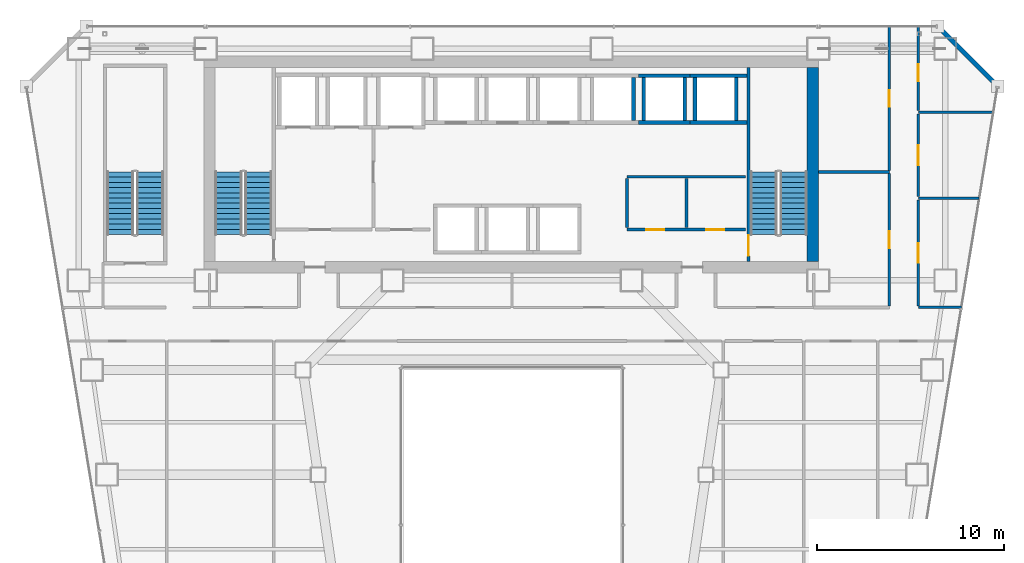
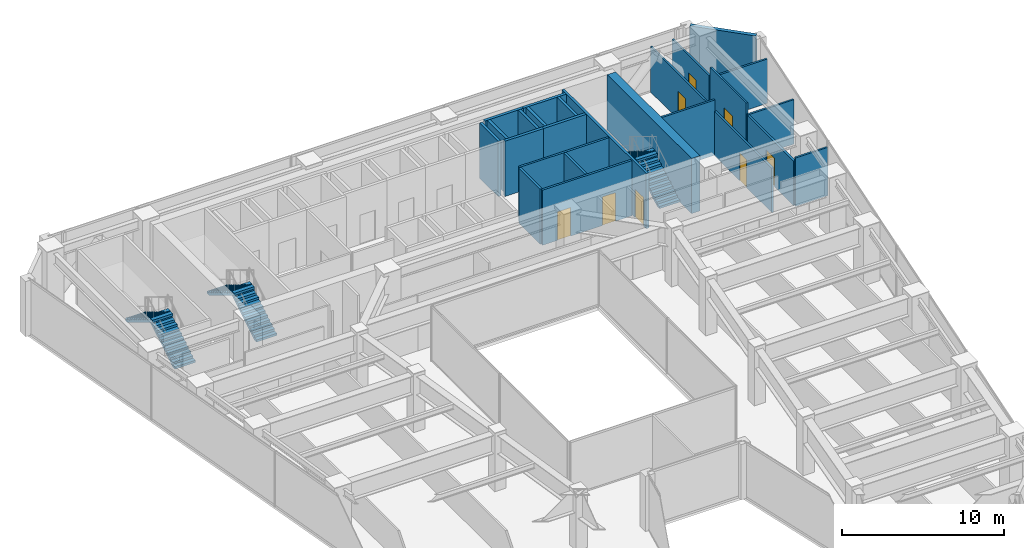
# One storey, part 37 of 40: 25 walls, 8 doors, 6 stair flights, 8 openings, 3 elements without a shape of their own.
"""IFC4 building model written with IfcOpenShell, lengths in metres."""

from ifc_helpers import new_model, si_unit, direction, frame, frame_2d, origin, place, context, subcontext, project, spatial, polyline, rectangle, outline, extrude, material, layer, layer_set, type_object, element, fill, aggregate, save


model = new_model("IFC4")

# Units and contexts
model_context = context("Model", 3, precision=1e-05, world=origin(), true_north=direction((0.0, 1.0)))
body_context = subcontext(model_context, "Body", "Model", "MODEL_VIEW")
ifc_project = project(units=[si_unit("LENGTHUNIT", "METRE"), si_unit("AREAUNIT", "SQUARE_METRE"), si_unit("VOLUMEUNIT", "CUBIC_METRE"), si_unit("PLANEANGLEUNIT", "RADIAN"), si_unit("MASSUNIT", "GRAM", prefix="KILO")], contexts=[model_context])

# Site, building, storey
site_placement = place(None, origin())
site = spatial("IfcSite", under=ifc_project, at=site_placement, CompositionType="ELEMENT")
building_placement = place(site_placement, origin())
building = spatial("IfcBuilding", under=site, at=building_placement, Name="Saevonmaru Cultural Tower", CompositionType="ELEMENT")
storey_placement = place(building_placement, frame((0.0, 0.0, 97.199951171875)))
storey = spatial("IfcBuildingStorey", under=building, at=storey_placement, Name="L20", CompositionType="ELEMENT", Elevation=97.199951171875)

# Wall
ifc_material_1 = material(Name="Concrete C60/75", Category="concrete")
ifc_layer_1 = layer(ifc_material_1, 0.60009765625, Name="Concrete C60/75")
ifc_layer_set_1 = layer_set([ifc_layer_1], Name="Concrete C60/75")
wall_type_1 = type_object("IfcWallType", Name="WL-CORE-600", PredefinedType="SHEAR", material=ifc_layer_set_1)
wall_1_placement = place(storey_placement, frame((46.10009765625, 43.39990234375, 0.0), z_axis=(0.0, 0.0, 1.0), x_axis=(0.0, 1.0, 0.0)))
element("IfcWall", 1, at=wall_1_placement, inside=storey, type_object=wall_type_1, Name="L20 Tower RC core shear wall E", PredefinedType="SHEAR", context=body_context, shape_type="SweptSolid", body=[
    extrude(rectangle(XDim=10.400146484375, YDim=0.60009765625, at=frame_2d((5.2001953125, 0.0))), origin(), (0.0, 0.0, 1.0), 4.150146484375),
])

# Wall, openings, doors
ifc_material_2 = material(Name="Gypsum Fireboard Partition", Category="gypsum")
ifc_layer_2 = layer(ifc_material_2, 0.14990234375, Name="Gypsum Fireboard Partition")
ifc_layer_set_2 = layer_set([ifc_layer_2], Name="Gypsum Fireboard Partition")
wall_type_2 = type_object("IfcWallType", Name="WL-CORE-PART-150", PredefinedType="PARTITIONING", material=ifc_layer_set_2)
wall_2_placement = place(storey_placement, frame((36.14990234375, 45.1201171875, 0.0), z_axis=(0.0, 0.0, 1.0), x_axis=(1.0, 0.0, 0.0)))
wall_2 = element("IfcWall", 2, at=wall_2_placement, inside=storey, type_object=wall_type_2, Name="L20 Core Cluster South Wall", PredefinedType="PARTITIONING", context=body_context, shape_type="SweptSolid", body=[
    extrude(rectangle(XDim=6.35009765625, YDim=0.14990234375, at=frame_2d((3.175048828125, 0.0))), origin(), (0.0, 0.0, 1.0), 4.150146484375),
])
opening_1_placement = place(wall_2_placement, frame((1.050048828125, 0.0, 0.0)))
opening_1 = element("IfcOpeningElement", 3, at=opening_1_placement, cuts=wall_2, Name="Opening FD-4", PredefinedType="OPENING", context=body_context, shape_type="SweptSolid", body=[
    extrude(rectangle(XDim=0.949951171875, YDim=2.14990234375, at=frame_2d((0.47509765625, 1.074951171875))), frame((0.0, 0.0849609375, 0.0), z_axis=(0.0, -1.0, 0.0), x_axis=(1.0, 0.0, 0.0)), (0.0, 0.0, 1.0), 0.169921875),
])
opening_2_placement = place(wall_2_placement, frame((4.25, 0.0, 0.0)))
opening_2 = element("IfcOpeningElement", 4, at=opening_2_placement, cuts=wall_2, Name="Opening FD-4", PredefinedType="OPENING", context=body_context, shape_type="SweptSolid", body=[
    extrude(rectangle(XDim=0.949951171875, YDim=2.14990234375, at=frame_2d((0.47509765625, 1.074951171875))), frame((0.0, 0.0849609375, 0.0), z_axis=(0.0, -1.0, 0.0), x_axis=(1.0, 0.0, 0.0)), (0.0, 0.0, 1.0), 0.169921875),
])
ifc_material_3 = material(Name="Satin Bronze Anodised Aluminium", Category="aluminium")
door_type_1 = type_object("IfcDoorType", Name="DR-FD60-950", OperationType="SINGLE_SWING_LEFT", PredefinedType="DOOR", material=ifc_material_3)
door_1_placement = place(opening_1_placement, origin())
door_1 = element("IfcDoor", 5, at=door_1_placement, inside=storey, type_object=door_type_1, Name="L20 BMS Control Room Door", OperationType="SINGLE_SWING_LEFT", OverallHeight=2.14990234375, OverallWidth=0.949951171875, PredefinedType="DOOR", context=body_context, shape_type="SweptSolid", body=[
    extrude(rectangle(XDim=0.949951171875, YDim=2.14990234375, at=frame_2d((0.47509765625, 1.074951171875))), frame((0.0, 0.02490234375, 0.0), z_axis=(0.0, -1.0, 0.0), x_axis=(1.0, 0.0, 0.0)), (0.0, 0.0, 1.0), 0.050048828125),
])
fill(opening_1, door_1)
door_2_placement = place(opening_2_placement, origin())
door_2 = element("IfcDoor", 6, at=door_2_placement, inside=storey, type_object=door_type_1, Name="L20 Fibre Node Plant Door", OperationType="SINGLE_SWING_LEFT", OverallHeight=2.14990234375, OverallWidth=0.949951171875, PredefinedType="DOOR", context=body_context, shape_type="SweptSolid", body=[
    extrude(rectangle(XDim=0.949951171875, YDim=2.14990234375, at=frame_2d((0.47509765625, 1.074951171875))), frame((0.0, 0.02490234375, 0.0), z_axis=(0.0, -1.0, 0.0), x_axis=(1.0, 0.0, 0.0)), (0.0, 0.0, 1.0), 0.050048828125),
])
fill(opening_2, door_2)

# Walls
wall_3_placement = place(storey_placement, frame((36.14990234375, 47.949951171875, 0.0), z_axis=(0.0, 0.0, 1.0), x_axis=(1.0, 0.0, 0.0)))
element("IfcWall", 7, at=wall_3_placement, inside=storey, type_object=wall_type_2, Name="L20 Core Cluster North Wall", PredefinedType="PARTITIONING", context=body_context, shape_type="SweptSolid", body=[
    extrude(rectangle(XDim=6.35009765625, YDim=0.14990234375, at=frame_2d((3.175048828125, 0.0))), origin(), (0.0, 0.0, 1.0), 4.150146484375),
])
for number, where, z_axis, x_axis, name in (
    (8, (36.14990234375, 45.219970703125, 0.0), (0.0, 0.0, 1.0), (0.0, 1.0, 0.0), "L20 Core Cluster West Wall"),
    (9, (39.35009765625, 45.219970703125, 0.0), (0.0, 0.0, 1.0), (0.0, 1.0, 0.0), "L20 Core Cluster Inner Split"),
):
    element("IfcWall", number, at=place(storey_placement, frame(where, z_axis=z_axis, x_axis=x_axis)), inside=storey, type_object=wall_type_2, Name=name, PredefinedType="PARTITIONING", context=body_context, shape_type="SweptSolid", body=[
        extrude(rectangle(XDim=2.630126953125, YDim=0.14990234375, at=frame_2d((1.31494140625, 0.0))), origin(), (0.0, 0.0, 1.0), 4.150146484375),
    ])
ifc_material_4 = material(Name="Granite-Clad Precast Concrete C40/50", Category="masonry")
ifc_layer_3 = layer(ifc_material_4, 0.260009765625, Name="Granite-Clad Precast Concrete C40/50")
ifc_layer_set_3 = layer_set([ifc_layer_3], Name="Granite-Clad Precast Concrete C40/50")
wall_type_3 = type_object("IfcWallType", Name="WL-EXT-SPANDREL-260", PredefinedType="STANDARD", material=ifc_layer_set_3)
wall_4_placement = place(storey_placement, frame((55.886962890625, 52.9130859375, 0.0), z_axis=(0.0, 0.0, 1.0), x_axis=(-0.707106781187, 0.707106781187, 0.0)))
element("IfcWall", 10, at=wall_4_placement, inside=storey, type_object=wall_type_3, Name="L20 Chamfer Corner Spandrel Wall E9", PredefinedType="STANDARD", context=body_context, shape_type="SweptSolid", body=[
    extrude(rectangle(XDim=4.205810546875, YDim=0.260009765625, at=frame_2d((2.10302734375, 0.0))), origin(), (0.0, 0.0, 1.0), 4.150146484375),
])

# Wall, opening, door
ifc_layer_4 = layer(ifc_material_2, 0.14990234375, Name="Gypsum Fireboard Partition")
ifc_layer_set_4 = layer_set([ifc_layer_4], Name="Gypsum Fireboard Partition")
wall_type_4 = type_object("IfcWallType", Name="WL-PART-FIRE-150", PredefinedType="PARTITIONING", material=ifc_layer_set_4)
wall_5_placement = place(storey_placement, frame((51.75, 41.03759765625, 0.0), z_axis=(0.0, 0.0, 1.0), x_axis=(0.0, 1.0, 0.0)))
wall_5 = element("IfcWall", 11, at=wall_5_placement, inside=storey, type_object=wall_type_4, Name="L20 East Asian Ceramics Gallery Corridor Wall", PredefinedType="PARTITIONING", context=body_context, shape_type="SweptSolid", body=[
    extrude(rectangle(XDim=5.6748046875, YDim=0.14990234375, at=frame_2d((2.83740234375, 0.0))), origin(), (0.0, 0.0, 1.0), 3.3349609375),
])
opening_3_placement = place(wall_5_placement, frame((2.31201171875, 0.0, 0.0)))
opening_3 = element("IfcOpeningElement", 12, at=opening_3_placement, cuts=wall_5, Name="Opening ID-1", PredefinedType="OPENING", context=body_context, shape_type="SweptSolid", body=[
    extrude(rectangle(XDim=1.050048828125, YDim=2.14990234375, at=frame_2d((0.52490234375, 1.074951171875))), frame((0.0, 0.0849609375, 0.0), z_axis=(0.0, -1.0, 0.0), x_axis=(1.0, 0.0, 0.0)), (0.0, 0.0, 1.0), 0.169921875),
])
door_type_2 = type_object("IfcDoorType", Name="DR-INT-1050", OperationType="SINGLE_SWING_LEFT", PredefinedType="DOOR", material=ifc_material_3)
door_3_placement = place(opening_3_placement, origin())
door_3 = element("IfcDoor", 13, at=door_3_placement, inside=storey, type_object=door_type_2, Name="L20 East Asian Ceramics Gallery Door", OperationType="SINGLE_SWING_RIGHT", OverallHeight=2.14990234375, OverallWidth=1.050048828125, PredefinedType="DOOR", context=body_context, shape_type="SweptSolid", body=[
    extrude(rectangle(XDim=1.050048828125, YDim=2.14990234375, at=frame_2d((0.52490234375, 1.074951171875))), frame((0.0, 0.02490234375, 0.0), z_axis=(0.0, -1.0, 0.0), x_axis=(1.0, 0.0, 0.0)), (0.0, 0.0, 1.0), 0.050048828125),
])
fill(opening_3, door_3)

ifc_layer_5 = layer(ifc_material_2, 0.1201171875, Name="Gypsum Fireboard Partition")
ifc_layer_set_5 = layer_set([ifc_layer_5], Name="Gypsum Fireboard Partition")
wall_type_5 = type_object("IfcWallType", Name="WL-PART-GYP-120", PredefinedType="PARTITIONING", material=ifc_layer_set_5)
wall_6_placement = place(storey_placement, frame((50.199951171875, 48.2900390625, 0.0), z_axis=(0.0, 0.0, 1.0), x_axis=(0.0, 1.0, 0.0)))
wall_6 = element("IfcWall", 14, at=wall_6_placement, inside=storey, type_object=wall_type_5, Name="L20 Urban Design Meeting Room Corridor Wall", PredefinedType="PARTITIONING", context=body_context, shape_type="SweptSolid", body=[
    extrude(rectangle(XDim=7.705078125, YDim=0.1201171875, at=frame_2d((3.8525390625, 0.0))), origin(), (0.0, 0.0, 1.0), 3.43505859375),
])
opening_4_placement = place(wall_6_placement, frame((3.402099609375, 0.0, 0.0)))
opening_4 = element("IfcOpeningElement", 15, at=opening_4_placement, cuts=wall_6, Name="Opening ID-2", PredefinedType="OPENING", context=body_context, shape_type="SweptSolid", body=[
    extrude(rectangle(XDim=0.89990234375, YDim=2.10009765625, at=frame_2d((0.449951171875, 1.050048828125))), frame((0.0, 0.070068359375, 0.0), z_axis=(0.0, -1.0, 0.0), x_axis=(1.0, 0.0, 0.0)), (0.0, 0.0, 1.0), 0.14013671875),
])
ifc_material_5 = material(Name="Acoustic Stained Oak Timber", Category="wood")
door_type_3 = type_object("IfcDoorType", Name="DR-INT-900", OperationType="SINGLE_SWING_RIGHT", PredefinedType="DOOR", material=ifc_material_5)
door_4_placement = place(opening_4_placement, origin())
door_4 = element("IfcDoor", 16, at=door_4_placement, inside=storey, type_object=door_type_3, Name="L20 Urban Design Meeting Room Door", OperationType="SINGLE_SWING_LEFT", OverallHeight=2.10009765625, OverallWidth=0.89990234375, PredefinedType="DOOR", context=body_context, shape_type="SweptSolid", body=[
    extrude(rectangle(XDim=0.89990234375, YDim=2.10009765625, at=frame_2d((0.449951171875, 1.050048828125))), frame((0.0, 0.02490234375, 0.0), z_axis=(0.0, -1.0, 0.0), x_axis=(1.0, 0.0, 0.0)), (0.0, 0.0, 1.0), 0.050048828125),
])
fill(opening_4, door_4)

wall_7_placement = place(storey_placement, frame((51.75, 46.887451171875, 0.0), z_axis=(0.0, 0.0, 1.0), x_axis=(0.0, 1.0, 0.0)))
wall_7 = element("IfcWall", 17, at=wall_7_placement, inside=storey, type_object=wall_type_5, Name="L20 Rare Folio Reading Room Corridor Wall", PredefinedType="PARTITIONING", context=body_context, shape_type="SweptSolid", body=[
    extrude(rectangle(XDim=4.425048828125, YDim=0.1201171875, at=frame_2d((2.21240234375, 0.0))), origin(), (0.0, 0.0, 1.0), 4.150146484375),
])
opening_5_placement = place(wall_7_placement, frame((1.68701171875, 0.0, 0.0)))
opening_5 = element("IfcOpeningElement", 18, at=opening_5_placement, cuts=wall_7, Name="Opening ID-1", PredefinedType="OPENING", context=body_context, shape_type="SweptSolid", body=[
    extrude(rectangle(XDim=1.050048828125, YDim=2.14990234375, at=frame_2d((0.52490234375, 1.074951171875))), frame((0.0, 0.070068359375, 0.0), z_axis=(0.0, -1.0, 0.0), x_axis=(1.0, 0.0, 0.0)), (0.0, 0.0, 1.0), 0.14013671875),
])
door_5_placement = place(opening_5_placement, origin())
door_5 = element("IfcDoor", 19, at=door_5_placement, inside=storey, type_object=door_type_2, Name="L20 Rare Folio Reading Room Door", OperationType="SINGLE_SWING_LEFT", OverallHeight=2.14990234375, OverallWidth=1.050048828125, PredefinedType="DOOR", context=body_context, shape_type="SweptSolid", body=[
    extrude(rectangle(XDim=1.050048828125, YDim=2.14990234375, at=frame_2d((0.52490234375, 1.074951171875))), frame((0.0, 0.02490234375, 0.0), z_axis=(0.0, -1.0, 0.0), x_axis=(1.0, 0.0, 0.0)), (0.0, 0.0, 1.0), 0.050048828125),
])
fill(opening_5, door_5)

wall_8_placement = place(storey_placement, frame((51.75, 51.487548828125, 0.0), z_axis=(0.0, 0.0, 1.0), x_axis=(0.0, 1.0, 0.0)))
wall_8 = element("IfcWall", 20, at=wall_8_placement, inside=storey, type_object=wall_type_5, Name="L20 Translation Research Office Corridor Wall", PredefinedType="PARTITIONING", context=body_context, shape_type="SweptSolid", body=[
    extrude(rectangle(XDim=4.507568359375, YDim=0.1201171875, at=frame_2d((2.25390625, 0.0))), origin(), (0.0, 0.0, 1.0), 3.43505859375),
])
opening_6_placement = place(wall_8_placement, frame((1.583984375, 0.0, 0.0)))
opening_6 = element("IfcOpeningElement", 21, at=opening_6_placement, cuts=wall_8, Name="Opening ID-2", PredefinedType="OPENING", context=body_context, shape_type="SweptSolid", body=[
    extrude(rectangle(XDim=0.89990234375, YDim=2.10009765625, at=frame_2d((0.449951171875, 1.050048828125))), frame((0.0, 0.070068359375, 0.0), z_axis=(0.0, -1.0, 0.0), x_axis=(1.0, 0.0, 0.0)), (0.0, 0.0, 1.0), 0.14013671875),
])
door_6_placement = place(opening_6_placement, origin())
door_6 = element("IfcDoor", 22, at=door_6_placement, inside=storey, type_object=door_type_3, Name="L20 Translation Research Office Door", OperationType="SINGLE_SWING_RIGHT", OverallHeight=2.10009765625, OverallWidth=0.89990234375, PredefinedType="DOOR", context=body_context, shape_type="SweptSolid", body=[
    extrude(rectangle(XDim=0.89990234375, YDim=2.10009765625, at=frame_2d((0.449951171875, 1.050048828125))), frame((0.0, 0.02490234375, 0.0), z_axis=(0.0, -1.0, 0.0), x_axis=(1.0, 0.0, 0.0)), (0.0, 0.0, 1.0), 0.050048828125),
])
fill(opening_6, door_6)

# Walls
ifc_layer_6 = layer(ifc_material_2, 0.135009765625, Name="Gypsum Fireboard Partition")
ifc_layer_set_6 = layer_set([ifc_layer_6], Name="Gypsum Fireboard Partition")
wall_type_6 = type_object("IfcWallType", Name="WL-PART-GYP-135", PredefinedType="PARTITIONING", material=ifc_layer_set_6)
wall_9_placement = place(storey_placement, frame((51.75, 40.949951171875, 0.0), z_axis=(0.0, 0.0, 1.0), x_axis=(1.0, 0.0, 0.0)))
element("IfcWall", 23, at=wall_9_placement, inside=storey, type_object=wall_type_6, Name="L20 NE Wing South Wall", PredefinedType="PARTITIONING", context=body_context, shape_type="SweptSolid", body=[
    extrude(rectangle(XDim=2.302978515625, YDim=0.135009765625, at=frame_2d((1.1513671875, 0.0))), origin(), (0.0, 0.0, 1.0), 3.635009765625),
])
wall_10_placement = place(storey_placement, frame((51.75, 46.800048828125, 0.0), z_axis=(0.0, 0.0, 1.0), x_axis=(1.0, 0.0, 0.0)))
element("IfcWall", 24, at=wall_10_placement, inside=storey, type_object=wall_type_6, Name="L20 NE Studio Divider 1", PredefinedType="PARTITIONING", context=body_context, shape_type="SweptSolid", body=[
    extrude(rectangle(XDim=3.26171875, YDim=0.135009765625, at=frame_2d((1.630859375, 0.0))), origin(), (0.0, 0.0, 1.0), 3.3349609375),
])
wall_11_placement = place(storey_placement, frame((51.75, 51.39990234375, 0.0), z_axis=(0.0, 0.0, 1.0), x_axis=(1.0, 0.0, 0.0)))
element("IfcWall", 25, at=wall_11_placement, inside=storey, type_object=wall_type_6, Name="L20 NE Studio Divider 2", PredefinedType="PARTITIONING", context=body_context, shape_type="SweptSolid", body=[
    extrude(rectangle(XDim=4.015380859375, YDim=0.135009765625, at=frame_2d((2.0078125, 0.0))), origin(), (0.0, 0.0, 1.0), 3.3349609375),
])
ifc_layer_7 = layer(ifc_material_2, 0.139892578125, Name="Gypsum Fireboard Partition")
ifc_layer_set_7 = layer_set([ifc_layer_7], Name="Gypsum Fireboard Partition")
wall_type_7 = type_object("IfcWallType", Name="WL-PART-WET-140", PredefinedType="PARTITIONING", material=ifc_layer_set_7)
wall_12_placement = place(storey_placement, frame((46.419921875, 48.199951171875, 0.0), z_axis=(0.0, 0.0, 1.0), x_axis=(1.0, 0.0, 0.0)))
element("IfcWall", 26, at=wall_12_placement, inside=storey, type_object=wall_type_7, Name="L20 Washroom North Wall", PredefinedType="PARTITIONING", context=body_context, shape_type="SweptSolid", body=[
    extrude(rectangle(XDim=3.780029296875, YDim=0.139892578125, at=frame_2d((1.89013671875, 0.0))), origin(), (0.0, 0.0, 1.0), 4.150146484375),
])

# Wall, opening, door
wall_13_placement = place(storey_placement, frame((50.199951171875, 41.0400390625, 0.0), z_axis=(0.0, 0.0, 1.0), x_axis=(0.0, 1.0, 0.0)))
wall_13 = element("IfcWall", 27, at=wall_13_placement, inside=storey, type_object=wall_type_7, Name="L20 Washroom Corridor Wall", PredefinedType="PARTITIONING", context=body_context, shape_type="SweptSolid", body=[
    extrude(rectangle(XDim=7.070068359375, YDim=0.139892578125, at=frame_2d((3.53515625, 0.0))), origin(), (0.0, 0.0, 1.0), 3.3349609375),
])
opening_7_placement = place(wall_13_placement, frame((3.0849609375, 0.0, 0.0)))
opening_7 = element("IfcOpeningElement", 28, at=opening_7_placement, cuts=wall_13, Name="Opening ID-2", PredefinedType="OPENING", context=body_context, shape_type="SweptSolid", body=[
    extrude(rectangle(XDim=0.89990234375, YDim=2.10009765625, at=frame_2d((0.449951171875, 1.050048828125))), frame((0.0, 0.080078125, 0.0), z_axis=(0.0, -1.0, 0.0), x_axis=(1.0, 0.0, 0.0)), (0.0, 0.0, 1.0), 0.159912109375),
])
door_7_placement = place(opening_7_placement, origin())
door_7 = element("IfcDoor", 29, at=door_7_placement, inside=storey, type_object=door_type_3, Name="L20 Public Accessible Washrooms Door", OperationType="SINGLE_SWING_RIGHT", OverallHeight=2.10009765625, OverallWidth=0.89990234375, PredefinedType="DOOR", context=body_context, shape_type="SweptSolid", body=[
    extrude(rectangle(XDim=0.89990234375, YDim=2.10009765625, at=frame_2d((0.449951171875, 1.050048828125))), frame((0.0, 0.02490234375, 0.0), z_axis=(0.0, -1.0, 0.0), x_axis=(1.0, 0.0, 0.0)), (0.0, 0.0, 1.0), 0.050048828125),
])
fill(opening_7, door_7)

# Walls
ifc_material_6 = material(Name="Concrete C40/50", Category="concrete")
ifc_layer_8 = layer(ifc_material_6, 0.199951171875, Name="Concrete C40/50")
ifc_layer_set_8 = layer_set([ifc_layer_8], Name="Concrete C40/50")
wall_type_8 = type_object("IfcWallType", Name="WL-SHAFT-200", PredefinedType="SHEAR", material=ifc_layer_set_8)
wall_14_placement = place(storey_placement, frame((36.5, 50.949951171875, 0.0), z_axis=(0.0, 0.0, 1.0), x_axis=(0.0, 1.0, 0.0)))
element("IfcWall", 30, at=wall_14_placement, inside=storey, type_object=wall_type_8, Name="L20 Lift PL-H1 Hoistway Wall E", PredefinedType="SHEAR", context=body_context, shape_type="SweptSolid", body=[
    extrude(rectangle(XDim=2.300048828125, YDim=0.199951171875, at=frame_2d((1.14990234375, 0.0))), origin(), (0.0, 0.0, 1.0), 4.150146484375),
])
for number, where, z_axis, x_axis, name in (
    (31, (36.77490234375, 50.85009765625, 0.0), (0.0, 0.0, 1.0), (1.0, 0.0, 0.0), "L20 Lift PL-H2 Hoistway Wall S"),
    (32, (36.77490234375, 53.35009765625, 0.0), (0.0, 0.0, 1.0), (1.0, 0.0, 0.0), "L20 Lift PL-H2 Hoistway Wall N"),
):
    element("IfcWall", number, at=place(storey_placement, frame(where, z_axis=z_axis, x_axis=x_axis)), inside=storey, type_object=wall_type_8, Name=name, PredefinedType="SHEAR", context=body_context, shape_type="SweptSolid", body=[
        extrude(rectangle(XDim=2.75, YDim=0.199951171875, at=frame_2d((1.375, 0.0))), origin(), (0.0, 0.0, 1.0), 4.150146484375),
    ])
for number, where, z_axis, x_axis, name in (
    (33, (37.050048828125, 50.949951171875, 0.0), (0.0, 0.0, 1.0), (0.0, 1.0, 0.0), "L20 Lift PL-H2 Hoistway Wall W"),
    (34, (39.25, 50.949951171875, 0.0), (0.0, 0.0, 1.0), (0.0, 1.0, 0.0), "L20 Lift PL-H2 Hoistway Wall E"),
):
    element("IfcWall", number, at=place(storey_placement, frame(where, z_axis=z_axis, x_axis=x_axis)), inside=storey, type_object=wall_type_8, Name=name, PredefinedType="SHEAR", context=body_context, shape_type="SweptSolid", body=[
        extrude(rectangle(XDim=2.300048828125, YDim=0.199951171875, at=frame_2d((1.14990234375, 0.0))), origin(), (0.0, 0.0, 1.0), 4.150146484375),
    ])
for number, where, z_axis, x_axis, name in (
    (35, (39.52490234375, 50.85009765625, 0.0), (0.0, 0.0, 1.0), (1.0, 0.0, 0.0), "L20 Lift PL-H3 Hoistway Wall S"),
    (36, (39.52490234375, 53.35009765625, 0.0), (0.0, 0.0, 1.0), (1.0, 0.0, 0.0), "L20 Lift PL-H3 Hoistway Wall N"),
):
    element("IfcWall", number, at=place(storey_placement, frame(where, z_axis=z_axis, x_axis=x_axis)), inside=storey, type_object=wall_type_8, Name=name, PredefinedType="SHEAR", context=body_context, shape_type="SweptSolid", body=[
        extrude(rectangle(XDim=3.045166015625, YDim=0.199951171875, at=frame_2d((1.5224609375, 0.0))), origin(), (0.0, 0.0, 1.0), 4.150146484375),
    ])
for number, where, z_axis, x_axis, name in (
    (37, (39.800048828125, 50.949951171875, 0.0), (0.0, 0.0, 1.0), (0.0, 1.0, 0.0), "L20 Lift PL-H3 Hoistway Wall W"),
    (38, (42.0, 50.949951171875, 0.0), (0.0, 0.0, 1.0), (0.0, 1.0, 0.0), "L20 Lift PL-H3 Hoistway Wall E"),
):
    element("IfcWall", number, at=place(storey_placement, frame(where, z_axis=z_axis, x_axis=x_axis)), inside=storey, type_object=wall_type_8, Name=name, PredefinedType="SHEAR", context=body_context, shape_type="SweptSolid", body=[
        extrude(rectangle(XDim=2.300048828125, YDim=0.199951171875, at=frame_2d((1.14990234375, 0.0))), origin(), (0.0, 0.0, 1.0), 4.150146484375),
    ])

# Wall, opening, door
ifc_layer_9 = layer(ifc_material_6, 0.179931640625, Name="Concrete C40/50")
ifc_layer_set_9 = layer_set([ifc_layer_9], Name="Concrete C40/50")
wall_type_9 = type_object("IfcWallType", Name="WL-STSHAFT-180", PredefinedType="SHEAR", material=ifc_layer_set_9)
wall_15_placement = place(storey_placement, frame((42.659912109375, 53.800048828125, 0.0), z_axis=(0.0, 0.0, 1.0), x_axis=(0.0, -1.0, 0.0)))
wall_15 = element("IfcWall", 39, at=wall_15_placement, inside=storey, type_object=wall_type_9, Name="L20 Stair ST-2 Structural Shaft Wall 1", PredefinedType="SHEAR", context=body_context, shape_type="SweptSolid", body=[
    extrude(rectangle(XDim=10.400146484375, YDim=0.179931640625, at=frame_2d((5.2001953125, 0.0))), origin(), (0.0, 0.0, 1.0), 4.150146484375),
])
opening_8_placement = place(wall_15_placement, frame((8.989990234375, 0.0, 0.0)))
opening_8 = element("IfcOpeningElement", 40, at=opening_8_placement, cuts=wall_15, Name="Opening FD-2", PredefinedType="OPENING", context=body_context, shape_type="SweptSolid", body=[
    extrude(rectangle(XDim=1.10009765625, YDim=2.14990234375, at=frame_2d((0.550048828125, 1.074951171875))), frame((0.0, 0.10009765625, 0.0), z_axis=(0.0, -1.0, 0.0), x_axis=(1.0, 0.0, 0.0)), (0.0, 0.0, 1.0), 0.199951171875),
])
door_type_4 = type_object("IfcDoorType", Name="DR-FD60-1100", OperationType="SINGLE_SWING_LEFT", PredefinedType="DOOR", material=ifc_material_3)
door_8_placement = place(opening_8_placement, origin())
door_8 = element("IfcDoor", 41, at=door_8_placement, inside=storey, type_object=door_type_4, Name="L20 Protected Stair ST-2 Fire Door", OperationType="SINGLE_SWING_LEFT", OverallHeight=2.14990234375, OverallWidth=1.10009765625, PredefinedType="DOOR", context=body_context, shape_type="SweptSolid", body=[
    extrude(rectangle(XDim=1.10009765625, YDim=2.14990234375, at=frame_2d((0.550048828125, 1.074951171875))), frame((0.0, 0.02490234375, 0.0), z_axis=(0.0, -1.0, 0.0), x_axis=(1.0, 0.0, 0.0)), (0.0, 0.0, 1.0), 0.050048828125),
])
fill(opening_8, door_8)

# Stair, stair flights
stair_type = type_object("IfcStairType", Name="STR-DOGLEG-RC", PredefinedType="HALF_TURN_STAIR", material=ifc_material_6)
stair_1_placement = place(storey_placement, origin())
stair_1 = element("IfcStair", 42, at=stair_1_placement, inside=storey, type_object=stair_type, Name="L20 Protected exit stair ST-1", PredefinedType="HALF_TURN_STAIR")
ifc_material_7 = material(Name="Precast concrete C40/50", Category="concrete")
stair_flight_type = type_object("IfcStairFlightType", Name="STF-PRECAST-180", PredefinedType="STRAIGHT", material=ifc_material_7)
stair_flight_1_placement = place(storey_placement, frame((16.425048828125, 44.85009765625, 0.0), z_axis=(0.0, 0.0, 1.0), x_axis=(0.0, 1.0, 0.0)))
stair_flight_1 = element("IfcStairFlight", 43, at=stair_flight_1_placement, type_object=stair_flight_type, Name="ST-1-L20 flight 1", NumberOfRisers=13, NumberOfTreads=12, PredefinedType="STRAIGHT", RiserHeight=0.169230769, TreadLength=0.28, context=body_context, shape_type="SweptSolid", body=[
    extrude(outline(polyline([(0.0, 0.0), (0.0, 0.169189453125), (0.280029296875, 0.169189453125), (0.280029296875, 0.33837890625), (0.56005859375, 0.33837890625), (0.56005859375, 0.5078125), (0.840087890625, 0.5078125), (0.840087890625, 0.677001953125), (1.1201171875, 0.677001953125), (1.1201171875, 0.84619140625), (1.39990234375, 0.84619140625), (1.39990234375, 1.015380859375), (1.679931640625, 1.015380859375), (1.679931640625, 1.1845703125), (1.9599609375, 1.1845703125), (1.9599609375, 1.353759765625), (2.239990234375, 1.353759765625), (2.239990234375, 1.523193359375), (2.52001953125, 1.523193359375), (2.52001953125, 1.6923828125), (2.800048828125, 1.6923828125), (2.800048828125, 1.861572265625), (3.080078125, 1.861572265625), (3.080078125, 2.03076171875), (3.360107421875, 2.03076171875), (3.360107421875, 2.199951171875), (3.360107421875, 1.855712890625), (0.289794921875, 0.0), (0.0, 0.0)])), frame((0.0, 0.72509765625, 0.0), z_axis=(0.0, -1.0, 0.0), x_axis=(1.0, 0.0, 0.0)), (0.0, 0.0, 1.0), 1.449951171875),
])
stair_flight_2_placement = place(storey_placement, frame((14.824951171875, 48.2099609375, 2.199951171875), z_axis=(0.0, 0.0, 1.0), x_axis=(0.0, -1.0, 0.0)))
stair_flight_2 = element("IfcStairFlight", 44, at=stair_flight_2_placement, type_object=stair_flight_type, Name="ST-1-L20 flight 2", NumberOfRisers=13, NumberOfTreads=12, PredefinedType="STRAIGHT", RiserHeight=0.169230769, TreadLength=0.28, context=body_context, shape_type="SweptSolid", body=[
    extrude(outline(polyline([(0.0, 0.0), (0.0, 0.169189453125), (0.280029296875, 0.169189453125), (0.280029296875, 0.33837890625), (0.56005859375, 0.33837890625), (0.56005859375, 0.5078125), (0.840087890625, 0.5078125), (0.840087890625, 0.677001953125), (1.1201171875, 0.677001953125), (1.1201171875, 0.84619140625), (1.39990234375, 0.84619140625), (1.39990234375, 1.015380859375), (1.679931640625, 1.015380859375), (1.679931640625, 1.1845703125), (1.9599609375, 1.1845703125), (1.9599609375, 1.353759765625), (2.239990234375, 1.353759765625), (2.239990234375, 1.523193359375), (2.52001953125, 1.523193359375), (2.52001953125, 1.6923828125), (2.800048828125, 1.6923828125), (2.800048828125, 1.861572265625), (3.080078125, 1.861572265625), (3.080078125, 2.03076171875), (3.360107421875, 2.03076171875), (3.360107421875, 2.199951171875), (3.360107421875, 1.855712890625), (0.289794921875, 0.0), (0.0, 0.0)])), frame((0.0, 0.72509765625, 0.0), z_axis=(0.0, -1.0, 0.0), x_axis=(1.0, 0.0, 0.0)), (0.0, 0.0, 1.0), 1.449951171875),
])
aggregate(stair_1, [stair_flight_1, stair_flight_2])

stair_2_placement = place(storey_placement, origin())
stair_2 = element("IfcStair", 45, at=stair_2_placement, inside=storey, type_object=stair_type, Name="L20 Protected exit stair ST-2", PredefinedType="HALF_TURN_STAIR")
stair_flight_3_placement = place(storey_placement, frame((45.074951171875, 44.85009765625, 0.0), z_axis=(0.0, 0.0, 1.0), x_axis=(0.0, 1.0, 0.0)))
stair_flight_3 = element("IfcStairFlight", 46, at=stair_flight_3_placement, type_object=stair_flight_type, Name="ST-2-L20 flight 1", NumberOfRisers=13, NumberOfTreads=12, PredefinedType="STRAIGHT", RiserHeight=0.169230769, TreadLength=0.28, context=body_context, shape_type="SweptSolid", body=[
    extrude(outline(polyline([(0.0, 0.0), (0.0, 0.169189453125), (0.280029296875, 0.169189453125), (0.280029296875, 0.33837890625), (0.56005859375, 0.33837890625), (0.56005859375, 0.5078125), (0.840087890625, 0.5078125), (0.840087890625, 0.677001953125), (1.1201171875, 0.677001953125), (1.1201171875, 0.84619140625), (1.39990234375, 0.84619140625), (1.39990234375, 1.015380859375), (1.679931640625, 1.015380859375), (1.679931640625, 1.1845703125), (1.9599609375, 1.1845703125), (1.9599609375, 1.353759765625), (2.239990234375, 1.353759765625), (2.239990234375, 1.523193359375), (2.52001953125, 1.523193359375), (2.52001953125, 1.6923828125), (2.800048828125, 1.6923828125), (2.800048828125, 1.861572265625), (3.080078125, 1.861572265625), (3.080078125, 2.03076171875), (3.360107421875, 2.03076171875), (3.360107421875, 2.199951171875), (3.360107421875, 1.855712890625), (0.289794921875, 0.0), (0.0, 0.0)])), frame((0.0, 0.72509765625, 0.0), z_axis=(0.0, -1.0, 0.0), x_axis=(1.0, 0.0, 0.0)), (0.0, 0.0, 1.0), 1.449951171875),
])
stair_flight_4_placement = place(storey_placement, frame((43.47509765625, 48.2099609375, 2.199951171875), z_axis=(0.0, 0.0, 1.0), x_axis=(0.0, -1.0, 0.0)))
stair_flight_4 = element("IfcStairFlight", 47, at=stair_flight_4_placement, type_object=stair_flight_type, Name="ST-2-L20 flight 2", NumberOfRisers=13, NumberOfTreads=12, PredefinedType="STRAIGHT", RiserHeight=0.169230769, TreadLength=0.28, context=body_context, shape_type="SweptSolid", body=[
    extrude(outline(polyline([(0.0, 0.0), (0.0, 0.169189453125), (0.280029296875, 0.169189453125), (0.280029296875, 0.33837890625), (0.56005859375, 0.33837890625), (0.56005859375, 0.5078125), (0.840087890625, 0.5078125), (0.840087890625, 0.677001953125), (1.1201171875, 0.677001953125), (1.1201171875, 0.84619140625), (1.39990234375, 0.84619140625), (1.39990234375, 1.015380859375), (1.679931640625, 1.015380859375), (1.679931640625, 1.1845703125), (1.9599609375, 1.1845703125), (1.9599609375, 1.353759765625), (2.239990234375, 1.353759765625), (2.239990234375, 1.523193359375), (2.52001953125, 1.523193359375), (2.52001953125, 1.6923828125), (2.800048828125, 1.6923828125), (2.800048828125, 1.861572265625), (3.080078125, 1.861572265625), (3.080078125, 2.03076171875), (3.360107421875, 2.03076171875), (3.360107421875, 2.199951171875), (3.360107421875, 1.855712890625), (0.289794921875, 0.0), (0.0, 0.0)])), frame((0.0, 0.72509765625, 0.0), z_axis=(0.0, -1.0, 0.0), x_axis=(1.0, 0.0, 0.0)), (0.0, 0.0, 1.0), 1.449951171875),
])
aggregate(stair_2, [stair_flight_3, stair_flight_4])

stair_3_placement = place(storey_placement, origin())
stair_3 = element("IfcStair", 48, at=stair_3_placement, inside=storey, type_object=stair_type, Name="L20 Protected exit stair ST-3", PredefinedType="HALF_TURN_STAIR")
stair_flight_5_placement = place(storey_placement, frame((10.625, 44.85009765625, 0.0), z_axis=(0.0, 0.0, 1.0), x_axis=(0.0, 1.0, 0.0)))
stair_flight_5 = element("IfcStairFlight", 49, at=stair_flight_5_placement, type_object=stair_flight_type, Name="ST-3-L20 flight 1", NumberOfRisers=13, NumberOfTreads=12, PredefinedType="STRAIGHT", RiserHeight=0.169230769, TreadLength=0.28, context=body_context, shape_type="SweptSolid", body=[
    extrude(outline(polyline([(0.0, 0.0), (0.0, 0.169189453125), (0.280029296875, 0.169189453125), (0.280029296875, 0.33837890625), (0.56005859375, 0.33837890625), (0.56005859375, 0.5078125), (0.840087890625, 0.5078125), (0.840087890625, 0.677001953125), (1.1201171875, 0.677001953125), (1.1201171875, 0.84619140625), (1.39990234375, 0.84619140625), (1.39990234375, 1.015380859375), (1.679931640625, 1.015380859375), (1.679931640625, 1.1845703125), (1.9599609375, 1.1845703125), (1.9599609375, 1.353759765625), (2.239990234375, 1.353759765625), (2.239990234375, 1.523193359375), (2.52001953125, 1.523193359375), (2.52001953125, 1.6923828125), (2.800048828125, 1.6923828125), (2.800048828125, 1.861572265625), (3.080078125, 1.861572265625), (3.080078125, 2.03076171875), (3.360107421875, 2.03076171875), (3.360107421875, 2.199951171875), (3.360107421875, 1.855712890625), (0.289794921875, 0.0), (0.0, 0.0)])), frame((0.0, 0.72509765625, 0.0), z_axis=(0.0, -1.0, 0.0), x_axis=(1.0, 0.0, 0.0)), (0.0, 0.0, 1.0), 1.449951171875),
])
stair_flight_6_placement = place(storey_placement, frame((9.02490234375, 48.2099609375, 2.199951171875), z_axis=(0.0, 0.0, 1.0), x_axis=(0.0, -1.0, 0.0)))
stair_flight_6 = element("IfcStairFlight", 50, at=stair_flight_6_placement, type_object=stair_flight_type, Name="ST-3-L20 flight 2", NumberOfRisers=13, NumberOfTreads=12, PredefinedType="STRAIGHT", RiserHeight=0.169230769, TreadLength=0.28, context=body_context, shape_type="SweptSolid", body=[
    extrude(outline(polyline([(0.0, 0.0), (0.0, 0.169189453125), (0.280029296875, 0.169189453125), (0.280029296875, 0.33837890625), (0.56005859375, 0.33837890625), (0.56005859375, 0.5078125), (0.840087890625, 0.5078125), (0.840087890625, 0.677001953125), (1.1201171875, 0.677001953125), (1.1201171875, 0.84619140625), (1.39990234375, 0.84619140625), (1.39990234375, 1.015380859375), (1.679931640625, 1.015380859375), (1.679931640625, 1.1845703125), (1.9599609375, 1.1845703125), (1.9599609375, 1.353759765625), (2.239990234375, 1.353759765625), (2.239990234375, 1.523193359375), (2.52001953125, 1.523193359375), (2.52001953125, 1.6923828125), (2.800048828125, 1.6923828125), (2.800048828125, 1.861572265625), (3.080078125, 1.861572265625), (3.080078125, 2.03076171875), (3.360107421875, 2.03076171875), (3.360107421875, 2.199951171875), (3.360107421875, 1.855712890625), (0.289794921875, 0.0), (0.0, 0.0)])), frame((0.0, 0.72509765625, 0.0), z_axis=(0.0, -1.0, 0.0), x_axis=(1.0, 0.0, 0.0)), (0.0, 0.0, 1.0), 1.449951171875),
])
aggregate(stair_3, [stair_flight_5, stair_flight_6])

save(model, "model.ifc")
